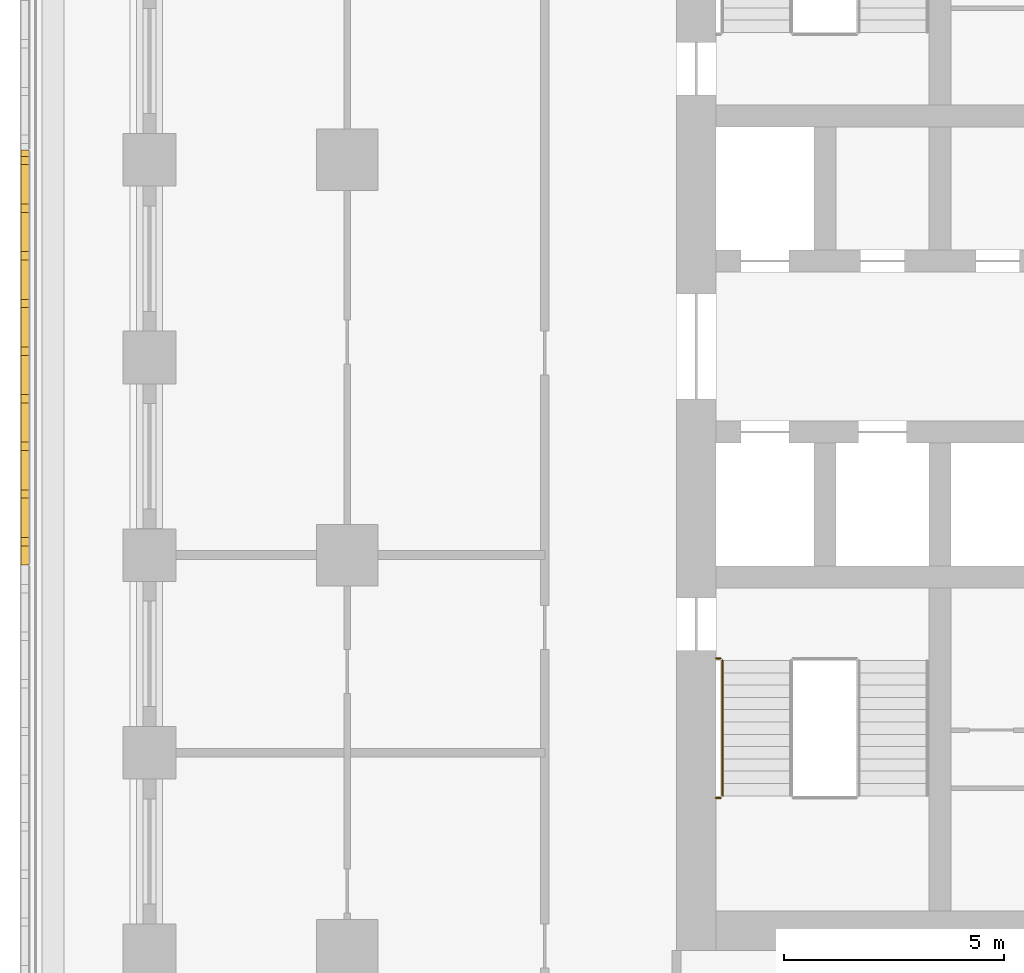
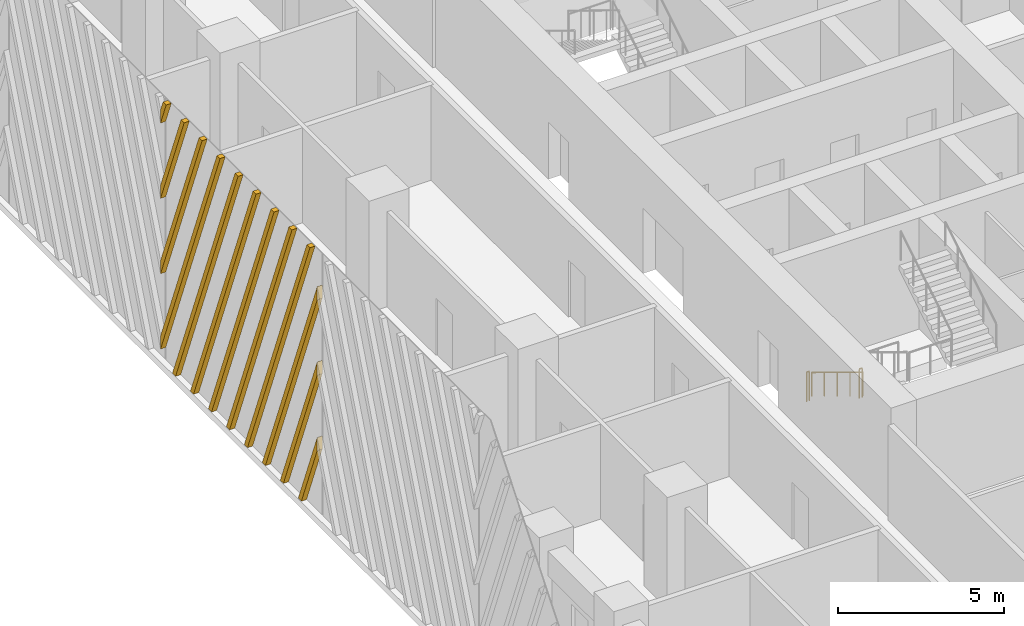
# One storey, part 12 of 20: 3 railings, 1 shading device.
"""IFC4 building model written with IfcOpenShell, lengths in metres."""

from ifc_helpers import new_model, si_unit, direction, frame, origin, origin_2d, place, context, subcontext, project, spatial, polyline, circle, outline, extrude, source, transform, mapped, material, type_object, element, save


model = new_model("IFC4")

# Units and contexts
model_context = context("Model", 3, precision=1e-05, world=origin(), true_north=direction((0.0, 1.0)))
body_context = subcontext(model_context, "Body", "Model", "MODEL_VIEW")
ifc_project = project(units=[si_unit("LENGTHUNIT", "METRE"), si_unit("AREAUNIT", "SQUARE_METRE"), si_unit("VOLUMEUNIT", "CUBIC_METRE"), si_unit("PLANEANGLEUNIT", "RADIAN"), si_unit("MASSUNIT", "GRAM", prefix="KILO")], contexts=[model_context])

# Site, building, storey
site_placement = place(None, origin())
site = spatial("IfcSite", under=ifc_project, at=site_placement, CompositionType="ELEMENT")
building_placement = place(site_placement, origin())
building = spatial("IfcBuilding", under=site, at=building_placement, Name="Corbel Stack Research Tower", CompositionType="ELEMENT")
storey_placement = place(building_placement, frame((0.0, 0.0, 106.60009765625)))
storey = spatial("IfcBuildingStorey", under=building, at=storey_placement, Name="L24", CompositionType="ELEMENT", Elevation=106.60009765625)

# Railings
ifc_material_1 = material(Name="Steel S355", Category="steel")
railing_type_1 = type_object("IfcRailingType", Name="Stair guard 1100", PredefinedType="GUARDRAIL", material=ifc_material_1)
for number, where, name in (
    (1, (-9.60009765625, -5.530029296875, 2.0498046875), "L24 ST-W1 stair guard 3"),
    (2, (-9.60009765625, -2.35009765625, 0.0), "L24 ST-W1 stair guard 6"),
):
    element("IfcRailing", number, at=place(storey_placement, frame(where)), inside=storey, type_object=railing_type_1, Name=name, PredefinedType="GUARDRAIL", context=body_context, shape_type="SweptSolid", body=[
        extrude(circle(Radius=0.02392578125, at=origin_2d()), frame((0.0, 0.0, 1.076171875), z_axis=(1.0, 0.0, 0.0), x_axis=(0.0, 1.0, 0.0)), (0.0, 0.0, 1.0), 0.10009765625),
        extrude(circle(Radius=0.02099609375, at=origin_2d()), origin(), (0.0, 0.0, 1.0), 1.052001953125),
        extrude(circle(Radius=0.02099609375, at=origin_2d()), frame((0.10009765625, 0.0, 0.0)), (0.0, 0.0, 1.0), 1.052001953125),
    ])
ifc_material_2 = material(Name="Steel S355", Category="steel")
railing_type_2 = type_object("IfcRailingType", Name="Stair handrail 900", PredefinedType="HANDRAIL", material=ifc_material_2)
railing_placement = place(storey_placement, frame((-9.449951171875, -2.39990234375, 0.170654296875)))
element("IfcRailing", 3, at=railing_placement, inside=storey, type_object=railing_type_2, Name="L24 ST-W1 stair handrail 1", PredefinedType="HANDRAIL", context=body_context, shape_type="SweptSolid", body=[
    extrude(circle(Radius=0.02392578125, at=origin_2d()), frame((0.0, 0.0, 0.8759765625), z_axis=(0.0, -0.853666305674, 0.52082035152), x_axis=(1.0, 0.0, 0.0)), (0.0, 0.0, 1.0), 3.608154296875),
    extrude(circle(Radius=0.02099609375, at=origin_2d()), origin(), (0.0, 0.0, 1.0), 0.851806640625),
    extrude(circle(Radius=0.02099609375, at=origin_2d()), frame((0.0, -0.77001953125, 0.4697265625)), (0.0, 0.0, 1.0), 0.851806640625),
    extrude(circle(Radius=0.02099609375, at=origin_2d()), frame((0.0, -1.5400390625, 0.939453125)), (0.0, 0.0, 1.0), 0.851806640625),
    extrude(circle(Radius=0.02099609375, at=origin_2d()), frame((0.0, -2.31005859375, 1.409423828125)), (0.0, 0.0, 1.0), 0.851806640625),
    extrude(circle(Radius=0.02099609375, at=origin_2d()), frame((0.0, -3.080078125, 1.879150390625)), (0.0, 0.0, 1.0), 0.851806640625),
])

# Shading device
ifc_material_3 = material(Name="Precast terracotta", Category="masonry")
shading_device_type = type_object("IfcShadingDeviceType", Name="Terracotta screen panel", PredefinedType="USERDEFINED", material=ifc_material_3)
shared_shape = source(origin(), body_context, "Body", "SweptSolid", [
    extrude(outline(polyline([(0.338623046875, 9.64990234375), (0.148681640625, 9.64990234375), (0.0, 9.26953125), (0.0, 8.782958984375), (0.338623046875, 9.64990234375)])), frame((0.0, 0.0, 0.0), z_axis=(0.0, -1.0, 0.0), x_axis=(1.0, 0.0, 0.0)), (0.0, 0.0, 1.0), 0.179931640625),
    extrude(outline(polyline([(1.42333984375, 9.64990234375), (1.2333984375, 9.64990234375), (0.0, 6.4921875), (0.0, 6.005615234375), (1.42333984375, 9.64990234375)])), frame((0.0, 0.0, 0.0), z_axis=(0.0, -1.0, 0.0), x_axis=(1.0, 0.0, 0.0)), (0.0, 0.0, 1.0), 0.179931640625),
    extrude(outline(polyline([(2.5078125, 9.64990234375), (2.31787109375, 9.64990234375), (0.0, 3.71484375), (0.0, 3.228515625), (2.5078125, 9.64990234375)])), frame((0.0, 0.0, 0.0), z_axis=(0.0, -1.0, 0.0), x_axis=(1.0, 0.0, 0.0)), (0.0, 0.0, 1.0), 0.179931640625),
    extrude(outline(polyline([(3.592529296875, 9.64990234375), (3.402587890625, 9.64990234375), (0.0, 0.9375), (0.0, 0.451171875), (3.592529296875, 9.64990234375)])), frame((0.0, 0.0, 0.0), z_axis=(0.0, -1.0, 0.0), x_axis=(1.0, 0.0, 0.0)), (0.0, 0.0, 1.0), 0.179931640625),
    extrude(outline(polyline([(0.908447265625, 0.0), (4.67724609375, 9.64990234375), (4.4873046875, 9.64990234375), (0.718505859375, 0.0), (0.908447265625, 0.0)])), frame((0.0, 0.0, 0.0), z_axis=(0.0, -1.0, 0.0), x_axis=(1.0, 0.0, 0.0)), (0.0, 0.0, 1.0), 0.179931640625),
    extrude(outline(polyline([(1.9931640625, 0.0), (5.761962890625, 9.64990234375), (5.572021484375, 9.64990234375), (1.80322265625, 0.0), (1.9931640625, 0.0)])), frame((0.0, 0.0, 0.0), z_axis=(0.0, -1.0, 0.0), x_axis=(1.0, 0.0, 0.0)), (0.0, 0.0, 1.0), 0.179931640625),
    extrude(outline(polyline([(3.077880859375, 0.0), (6.8466796875, 9.64990234375), (6.656494140625, 9.64990234375), (2.8876953125, 0.0), (3.077880859375, 0.0)])), frame((0.0, 0.0, 0.0), z_axis=(0.0, -1.0, 0.0), x_axis=(1.0, 0.0, 0.0)), (0.0, 0.0, 1.0), 0.179931640625),
    extrude(outline(polyline([(4.16259765625, 0.0), (7.931396484375, 9.64990234375), (7.7412109375, 9.64990234375), (3.972412109375, 0.0), (4.16259765625, 0.0)])), frame((0.0, 0.0, 0.0), z_axis=(0.0, -1.0, 0.0), x_axis=(1.0, 0.0, 0.0)), (0.0, 0.0, 1.0), 0.179931640625),
    extrude(outline(polyline([(5.247314453125, 0.0), (9.015869140625, 9.64990234375), (8.825927734375, 9.64990234375), (5.05712890625, 0.0), (5.247314453125, 0.0)])), frame((0.0, 0.0, 0.0), z_axis=(0.0, -1.0, 0.0), x_axis=(1.0, 0.0, 0.0)), (0.0, 0.0, 1.0), 0.179931640625),
    extrude(outline(polyline([(6.331787109375, 0.0), (9.45556640625, 7.99853515625), (9.45556640625, 8.485107421875), (6.141845703125, 0.0), (6.331787109375, 0.0)])), frame((0.0, 0.0, 0.0), z_axis=(0.0, -1.0, 0.0), x_axis=(1.0, 0.0, 0.0)), (0.0, 0.0, 1.0), 0.179931640625),
    extrude(outline(polyline([(7.41650390625, 0.0), (9.45556640625, 5.22119140625), (9.45556640625, 5.707763671875), (7.2265625, 0.0), (7.41650390625, 0.0)])), frame((0.0, 0.0, 0.0), z_axis=(0.0, -1.0, 0.0), x_axis=(1.0, 0.0, 0.0)), (0.0, 0.0, 1.0), 0.179931640625),
    extrude(outline(polyline([(8.501220703125, 0.0), (9.45556640625, 2.44384765625), (9.45556640625, 2.930419921875), (8.311279296875, 0.0), (8.501220703125, 0.0)])), frame((0.0, 0.0, 0.0), z_axis=(0.0, -1.0, 0.0), x_axis=(1.0, 0.0, 0.0)), (0.0, 0.0, 1.0), 0.179931640625),
])
shading_device_placement = place(storey_placement, frame((-25.25, 9.227783203125, 0.0), z_axis=(0.0, 0.0, 1.0), x_axis=(0.0, -1.0, 0.0)))
element("IfcShadingDevice", 4, at=shading_device_placement, inside=storey, type_object=shading_device_type, Name="Terracotta screen L24 W3", ObjectType="SCREEN", PredefinedType="USERDEFINED", context=body_context, shape_type="MappedRepresentation", body=[
    mapped(shared_shape, transform((0.0, 0.0, 0.0))),
])

save(model, "model.ifc")
